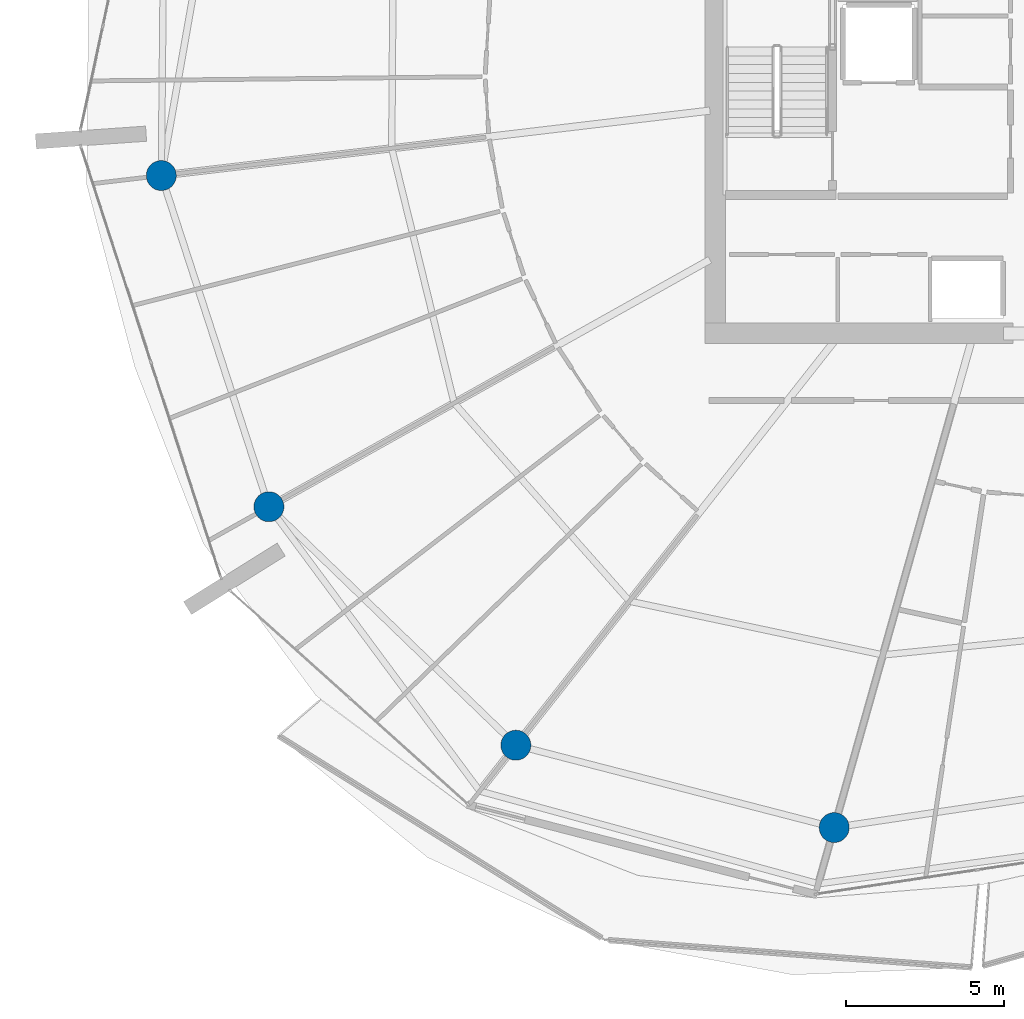
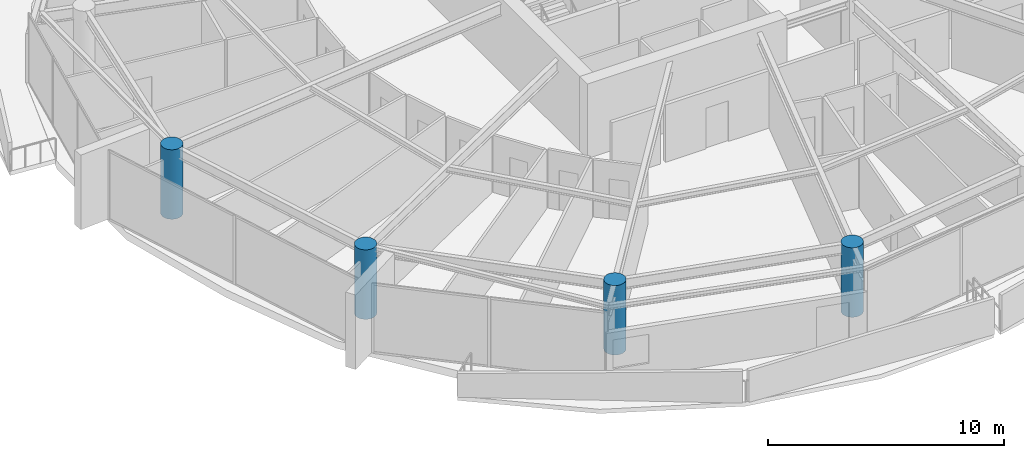
# One storey, part 1 of 30: 4 columns.
"""IFC4 building model written with IfcOpenShell, lengths in metres."""

from ifc_helpers import new_model, si_unit, direction, frame, origin, origin_2d, place, context, subcontext, project, spatial, circle, extrude, material, material_profile, profile_set, type_object, element, save


model = new_model("IFC4")

# Units and contexts
model_context = context("Model", 3, precision=1e-05, world=origin(), true_north=direction((0.0, 1.0)))
body_context = subcontext(model_context, "Body", "Model", "MODEL_VIEW")
ifc_project = project(units=[si_unit("LENGTHUNIT", "METRE"), si_unit("AREAUNIT", "SQUARE_METRE"), si_unit("VOLUMEUNIT", "CUBIC_METRE"), si_unit("PLANEANGLEUNIT", "RADIAN"), si_unit("MASSUNIT", "GRAM", prefix="KILO")], contexts=[model_context])

# Site, building, storey
site_placement = place(None, origin())
site = spatial("IfcSite", under=ifc_project, at=site_placement, CompositionType="ELEMENT")
building_placement = place(site_placement, origin())
building = spatial("IfcBuilding", under=site, at=building_placement, Name="Kazma Halo Residences", CompositionType="ELEMENT")
storey_placement = place(building_placement, frame((0.0, 0.0, 236.699951171875)))
storey = spatial("IfcBuildingStorey", under=building, at=storey_placement, Name="L59", CompositionType="ELEMENT", Elevation=236.699951171875)

# Columns
ifc_material = material(Name="Concrete C60/75", Category="concrete")
ifc_material_profile = material_profile(ifc_material, circle(Radius=0.47509765625, at=origin_2d()), Name="CIRC950")
ifc_profile_set = profile_set([ifc_material_profile], Name="Concrete C60/75")
column_type = type_object("IfcColumnType", Name="COL-PERIM-950", PredefinedType="COLUMN", material=ifc_profile_set)
for number, where, z_axis, x_axis, name in (
    (1, (19.92041015625, 38.676513671875, 0.0), (0.0, 0.0, 1.0), (1.0, 0.0, 0.0), "L59 perimeter ring column P08"),
    (2, (23.32958984375, 28.18408203125, 0.0), (0.0, 0.0, 1.0), (1.0, 0.0, 0.0), "L59 perimeter ring column P09"),
    (3, (31.15283203125, 20.62939453125, 0.0), (0.0, 0.0, 1.0), (1.0, 0.0, 0.0), "L59 perimeter ring column P10"),
    (4, (41.237060546875, 18.0205078125, 0.0), (0.0, 0.0, 1.0), (1.0, 0.0, 0.0), "L59 perimeter ring column P11"),
):
    element("IfcColumn", number, at=place(storey_placement, frame(where, z_axis=z_axis, x_axis=x_axis)), inside=storey, type_object=column_type, Name=name, PredefinedType="COLUMN", context=body_context, shape_type="SweptSolid", body=[
        extrude(circle(Radius=0.47509765625, at=origin_2d()), origin(), (0.0, 0.0, 1.0), 3.590087890625),
    ])

save(model, "model.ifc")
